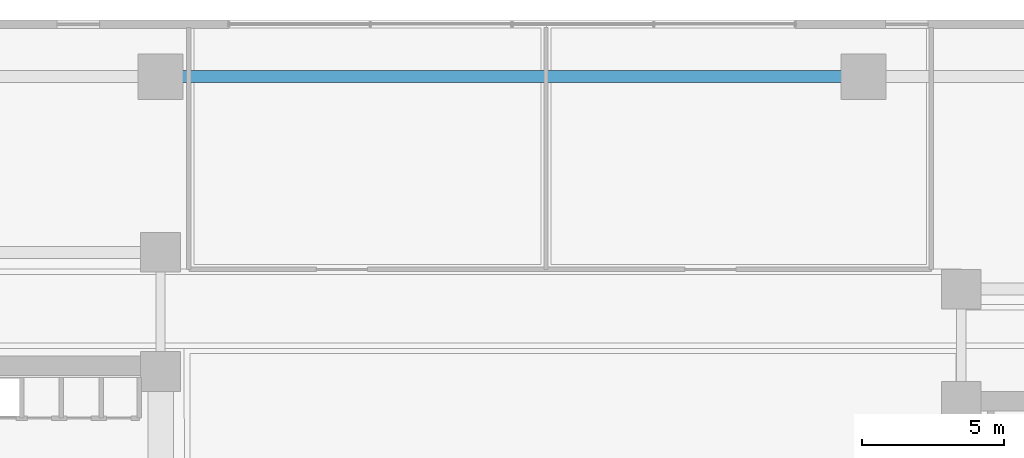
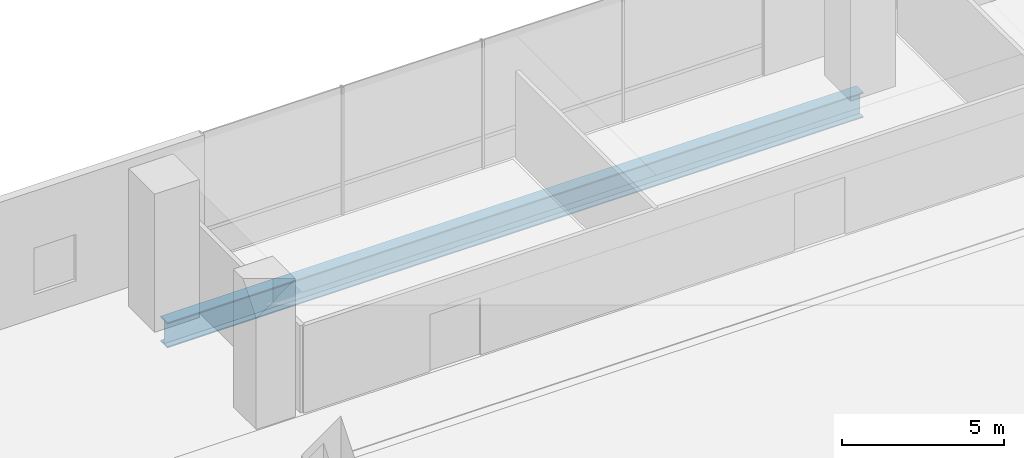
# One storey, part 15 of 39: 1 beam.
"""IFC4 building model written with IfcOpenShell, lengths in metres."""

from ifc_helpers import new_model, si_unit, direction, frame, origin, origin_2d, place, context, subcontext, project, spatial, i_section, extrude, source, transform, mapped, material, material_profile, profile_set, type_object, element, save


model = new_model("IFC4")

# Units and contexts
model_context = context("Model", 3, precision=1e-05, world=origin(), true_north=direction((0.0, 1.0)))
body_context = subcontext(model_context, "Body", "Model", "MODEL_VIEW")
ifc_project = project(units=[si_unit("LENGTHUNIT", "METRE"), si_unit("AREAUNIT", "SQUARE_METRE"), si_unit("VOLUMEUNIT", "CUBIC_METRE"), si_unit("PLANEANGLEUNIT", "RADIAN"), si_unit("MASSUNIT", "GRAM", prefix="KILO")], contexts=[model_context])

# Site, building, storey
site_placement = place(None, origin())
site = spatial("IfcSite", under=ifc_project, at=site_placement, CompositionType="ELEMENT")
building_placement = place(site_placement, origin())
building = spatial("IfcBuilding", under=site, at=building_placement, Name="Valdorenza Pilgrim Sanctuary Tower", CompositionType="ELEMENT")
storey_placement = place(building_placement, frame((0.0, 0.0, 15.60009765625)))
storey = spatial("IfcBuildingStorey", under=building, at=storey_placement, Name="L03", CompositionType="ELEMENT", Elevation=15.60009765625)

# Beam
ifc_material = material(Name="Steel ASTM A992 Grade 50", Category="steel")
ifc_material_profile = material_profile(ifc_material, i_section(OverallWidth=0.423095703125, OverallDepth=0.947998046875, WebThickness=0.02392578125, FlangeThickness=0.042724609375, at=origin_2d()), Name="W36X302")
ifc_profile_set = profile_set([ifc_material_profile], Name="Steel ASTM A992 Grade 50")
beam_type = type_object("IfcBeamType", Name="STR-BM-GRD-W36A", PredefinedType="BEAM", material=ifc_profile_set)
shared_shape = source(origin(), body_context, "Body", "SweptSolid", [
    extrude(i_section(OverallWidth=0.423095703125, OverallDepth=0.947998046875, WebThickness=0.02392578125, FlangeThickness=0.042724609375, at=origin_2d()), origin(), (0.0, 0.0, 1.0), 24.7998046875),
])
beam_placement = place(storey_placement, frame((-12.39990234375, 21.0, -0.754150390625), z_axis=(1.0, 0.0, 0.0), x_axis=(0.0, 1.0, 0.0)))
element("IfcBeam", 1, at=beam_placement, inside=storey, type_object=beam_type, Name="L03 Floor Girder POD-N-TIE2", PredefinedType="BEAM", context=body_context, shape_type="MappedRepresentation", body=[
    mapped(shared_shape, transform((0.0, 0.0, 0.0), x_axis=(1.0, 0.0, 0.0), y_axis=(0.0, 1.0, 0.0), z_axis=(0.0, 0.0, 1.0), scale=1.0)),
])

save(model, "model.ifc")
